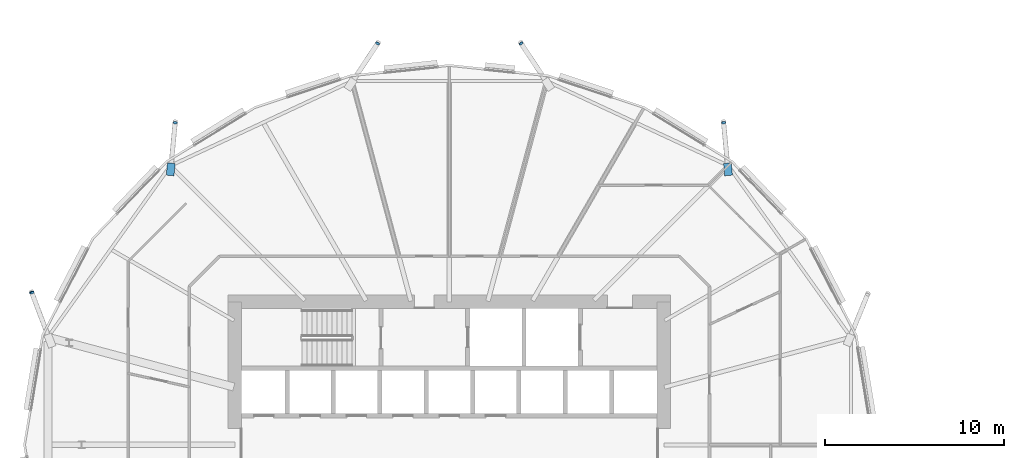
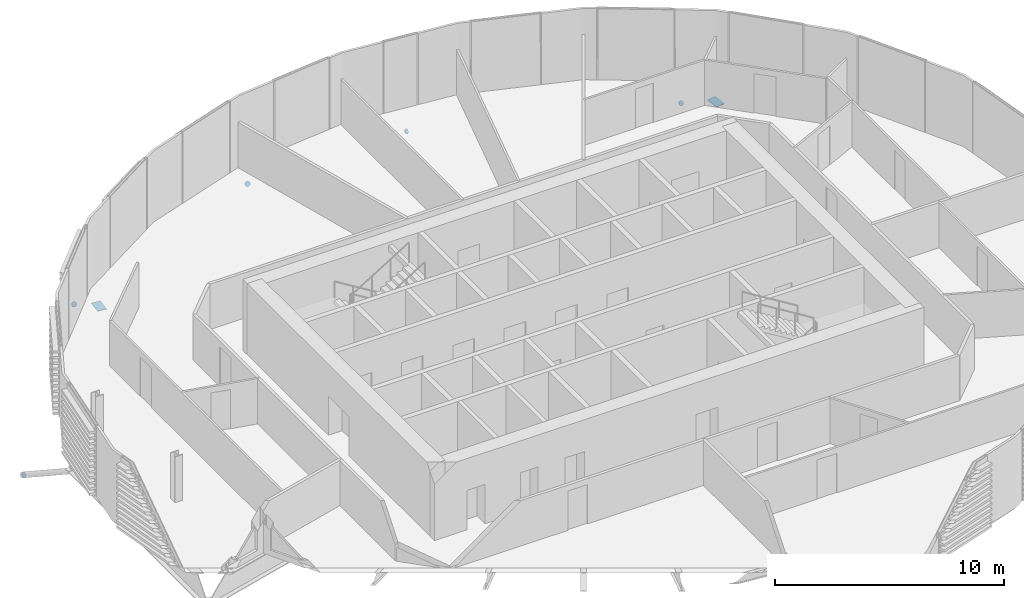
# One storey, part 30 of 40: 7 discrete accessories.
"""IFC4 building model written with IfcOpenShell, lengths in metres."""

from ifc_helpers import new_model, si_unit, direction, frame, origin, origin_2d, place, context, subcontext, project, spatial, polyline, rectangle, circle, outline, extrude, material, material_profile, profile_set, type_object, element, save


model = new_model("IFC4")

# Units and contexts
model_context = context("Model", 3, precision=1e-05, world=origin(), true_north=direction((0.0, 1.0)))
body_context = subcontext(model_context, "Body", "Model", "MODEL_VIEW")
ifc_project = project(units=[si_unit("LENGTHUNIT", "METRE"), si_unit("AREAUNIT", "SQUARE_METRE"), si_unit("VOLUMEUNIT", "CUBIC_METRE"), si_unit("PLANEANGLEUNIT", "RADIAN"), si_unit("MASSUNIT", "GRAM", prefix="KILO")], contexts=[model_context])

# Site, building, storey
site_placement = place(None, origin())
site = spatial("IfcSite", under=ifc_project, at=site_placement, CompositionType="ELEMENT")
building_placement = place(site_placement, origin())
building = spatial("IfcBuilding", under=site, at=building_placement, Name="Rimbun Link Towers", CompositionType="ELEMENT")
storey_placement = place(building_placement, frame((0.0, 0.0, 89.199951171875)))
storey = spatial("IfcBuildingStorey", under=building, at=storey_placement, Name="L21", CompositionType="ELEMENT", Elevation=89.199951171875)

# Discrete accessories
ifc_material_1 = material(Name="Steel S355J2H", Category="steel")
ifc_material_profile_1 = material_profile(ifc_material_1, circle(Radius=0.1240234375, at=origin_2d()), Name="PL D248")
ifc_profile_set_1 = profile_set([ifc_material_profile_1], Name="Steel S355J2H")
discrete_accessory_type_1 = type_object("IfcDiscreteAccessoryType", Name="Link foot sealing plate D248X20", PredefinedType="BRACKET", material=ifc_profile_set_1)
for number, where, z_axis, x_axis, name in (
    (1, (-16.410888671875, 18.012451171875, -2.34130859375), (-0.073301666614, 0.855186110494, -0.513111666296), (-0.996346649042, -0.085401141346, 0.0), "Link foot sealing plate T1 L21 03"),
    (2, (-27.731689453125, 22.445068359375, -2.563720703125), (-0.4752564843, 0.706791694599, -0.524000739099), (-0.829842569327, -0.55799758972, 0.0), "Link foot sealing plate T1 L21 05"),
    (3, (-35.768310546875, 22.445068359375, -2.563720703125), (0.4752564843, 0.706791694599, -0.524000739099), (-0.829842569327, 0.55799758972, 0.0), "Link foot sealing plate T1 L21 07"),
    (4, (-47.089111328125, 18.012451171875, -2.34130859375), (0.073301666614, 0.855186110494, -0.513111666296), (-0.996346649042, 0.085401141346, 0.0), "Link foot sealing plate T1 L21 09"),
    (5, (-55.1064453125, 8.508544921875, -2.877685546875), (-0.316602665693, 0.828037741044, -0.462726972936), (-0.934051834851, -0.357137466267, 0.0), "Link foot sealing plate T1 L21 11"),
):
    element("IfcDiscreteAccessory", number, at=place(storey_placement, frame(where, z_axis=z_axis, x_axis=x_axis)), inside=storey, type_object=discrete_accessory_type_1, Name=name, PredefinedType="BRACKET", context=body_context, shape_type="SweptSolid", body=[
        extrude(circle(Radius=0.1240234375, at=origin_2d()), origin(), (0.0, 0.0, 1.0), 0.02001953125),
    ])
ifc_material_2 = material(Name="Steel S355J2H", Category="steel")
ifc_material_profile_2 = material_profile(ifc_material_2, rectangle(XDim=0.43310546875, YDim=0.43310546875, at=origin_2d()), Name="PL 433x433")
ifc_profile_set_2 = profile_set([ifc_material_profile_2], Name="Steel S355J2H")
discrete_accessory_type_2 = type_object("IfcDiscreteAccessoryType", Name="Link head end plate 433X20", PredefinedType="BRACKET", material=ifc_profile_set_2)
discrete_accessory_1_placement = place(storey_placement, frame((0.0, 0.0, -0.782470703125)))
element("IfcDiscreteAccessory", 6, at=discrete_accessory_1_placement, inside=storey, type_object=discrete_accessory_type_2, Name="Link head end plate T1 L21 03", PredefinedType="BRACKET", context=body_context, shape_type="SweptSolid", body=[
    extrude(outline(polyline([(-15.914794921875, 15.08447265625), (-15.98046875, 15.774658203125), (-16.41162109375, 15.733642578125), (-16.345947265625, 15.04345703125), (-15.914794921875, 15.08447265625)])), origin(), (0.0, 0.0, 1.0), 0.02001953125),
])
discrete_accessory_2_placement = place(storey_placement, frame((0.0, 0.0, -0.782470703125)))
element("IfcDiscreteAccessory", 7, at=discrete_accessory_2_placement, inside=storey, type_object=discrete_accessory_type_2, Name="Link head end plate T1 L21 09", PredefinedType="BRACKET", context=body_context, shape_type="SweptSolid", body=[
    extrude(outline(polyline([(-47.154052734375, 15.04345703125), (-47.08837890625, 15.733642578125), (-47.51953125, 15.774658203125), (-47.585205078125, 15.08447265625), (-47.154052734375, 15.04345703125)])), origin(), (0.0, 0.0, 1.0), 0.02001953125),
])

save(model, "model.ifc")
